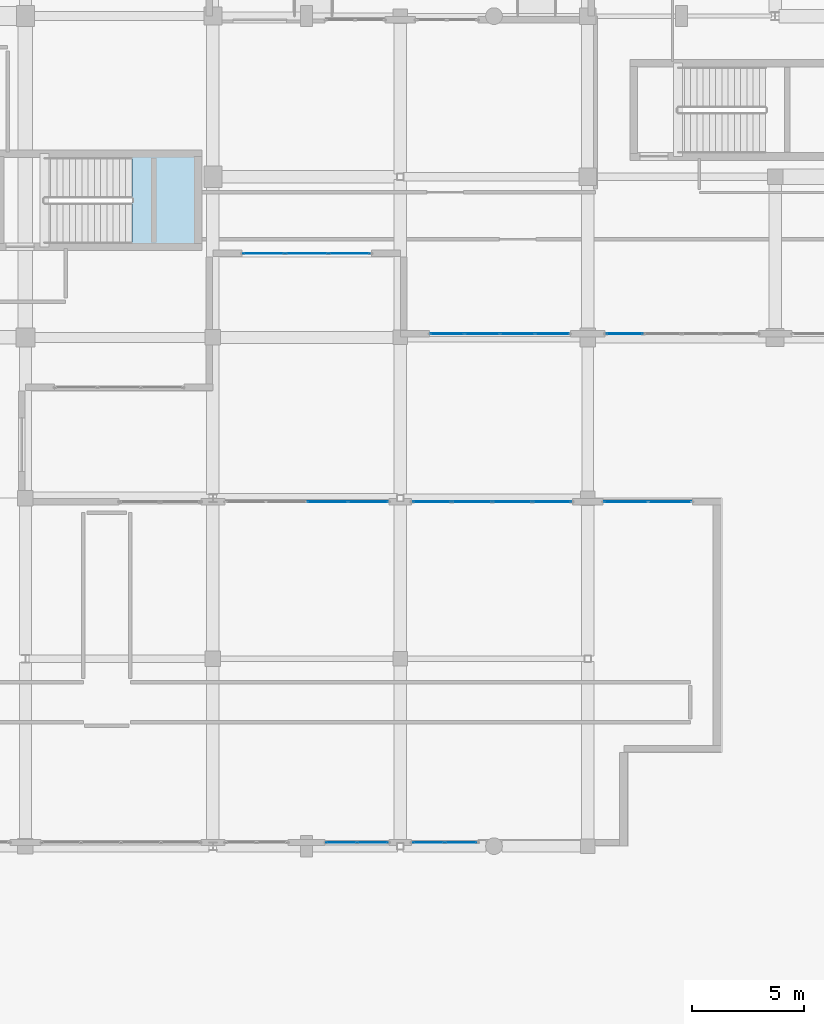
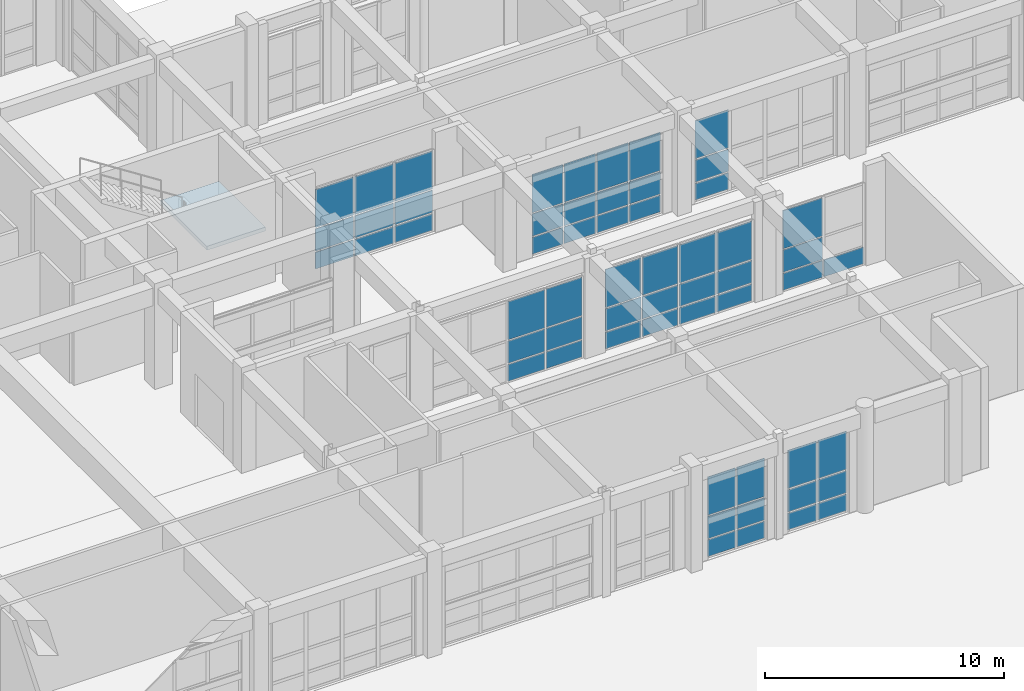
# One storey, part 119 of 148: 58 plates, 1 slab, 9 elements without a shape of their own.
"""IFC4 building model written with IfcOpenShell, lengths in metres."""

from ifc_helpers import new_model, si_unit, direction, frame, origin, origin_2d, place, context, subcontext, project, spatial, polyline, rectangle, outline, extrude, material, layer, layer_set, type_object, element, aggregate, save


model = new_model("IFC4")

# Units and contexts
model_context = context("Model", 3, precision=1e-05, world=origin(), true_north=direction((0.0, 1.0)))
body_context = subcontext(model_context, "Body", "Model", "MODEL_VIEW")
ifc_project = project(units=[si_unit("LENGTHUNIT", "METRE"), si_unit("AREAUNIT", "SQUARE_METRE"), si_unit("VOLUMEUNIT", "CUBIC_METRE"), si_unit("PLANEANGLEUNIT", "RADIAN"), si_unit("MASSUNIT", "GRAM", prefix="KILO")], contexts=[model_context])

# Site, building, storey
site_placement = place(None, origin())
site = spatial("IfcSite", under=ifc_project, at=site_placement, CompositionType="ELEMENT")
building_placement = place(site_placement, origin())
building = spatial("IfcBuilding", under=site, at=building_placement, Name="Quendrovan Civic Courthouse", CompositionType="ELEMENT")
storey_placement = place(building_placement, origin())
storey = spatial("IfcBuildingStorey", under=building, at=storey_placement, Name="L01", CompositionType="ELEMENT", Elevation=0.0)

# Curtain wall, plates
ifc_material_1 = material(Name="Bronze anodised aluminium and low-E glass", Category="aluminium")
ifc_layer_1 = layer(ifc_material_1, 0.179931640625, Name="Bronze anodised aluminium and low-E glass")
ifc_layer_set_1 = layer_set([ifc_layer_1], Name="Bronze anodised aluminium and low-E glass")
curtain_wall_type_1 = type_object("IfcCurtainWallType", Name="CW-U69x42", PredefinedType="USERDEFINED", material=ifc_layer_set_1)
curtain_wall_1_placement = place(storey_placement, origin())
curtain_wall_1 = element("IfcCurtainWall", 1, at=curtain_wall_1_placement, inside=storey, type_object=curtain_wall_type_1, Name="L01 Unitised Hurricane Curtain Wall CW-048", ObjectType="UNITISED CURTAIN WALL", PredefinedType="USERDEFINED")
ifc_material_2 = material(Name="Laminated hurricane-impact low-E glass", Category="glass")
ifc_layer_2 = layer(ifc_material_2, 0.028076171875, Name="Laminated hurricane-impact low-E glass")
ifc_layer_set_2 = layer_set([ifc_layer_2], Name="Laminated hurricane-impact low-E glass")
plate_type_1 = type_object("IfcPlateType", Name="CW-PNL-1", PredefinedType="CURTAIN_PANEL", material=ifc_layer_set_2)
plate_1_placement = place(storey_placement, frame((110.851806640625, 87.764892578125, 0.06982421875), z_axis=(0.0, 0.0, 1.0), x_axis=(-1.0, 0.0, 0.0)))
plate_1 = element("IfcPlate", 2, at=plate_1_placement, type_object=plate_type_1, Name="CW-048 panel 4.1", PredefinedType="CURTAIN_PANEL", context=body_context, shape_type="SweptSolid", body=[
    extrude(rectangle(XDim=1.61376953125, YDim=0.028076171875, at=origin_2d()), origin(), (0.0, 0.0, 1.0), 0.844970703125),
])
plate_2_placement = place(storey_placement, frame((110.851806640625, 87.764892578125, 0.985107421875), z_axis=(0.0, 0.0, 1.0), x_axis=(-1.0, 0.0, 0.0)))
plate_2 = element("IfcPlate", 3, at=plate_2_placement, type_object=plate_type_1, Name="CW-048 panel 4.2", PredefinedType="CURTAIN_PANEL", context=body_context, shape_type="SweptSolid", body=[
    extrude(rectangle(XDim=1.61376953125, YDim=0.028076171875, at=origin_2d()), origin(), (0.0, 0.0, 1.0), 1.1298828125),
])
plate_3_placement = place(storey_placement, frame((110.851806640625, 87.764892578125, 2.18505859375), z_axis=(0.0, 0.0, 1.0), x_axis=(-1.0, 0.0, 0.0)))
plate_3 = element("IfcPlate", 4, at=plate_3_placement, type_object=plate_type_1, Name="CW-048 panel 4.3", PredefinedType="CURTAIN_PANEL", context=body_context, shape_type="SweptSolid", body=[
    extrude(rectangle(XDim=1.61376953125, YDim=0.028076171875, at=origin_2d()), origin(), (0.0, 0.0, 1.0), 1.945068359375),
])
aggregate(curtain_wall_1, [plate_1, plate_2, plate_3])

ifc_layer_3 = layer(ifc_material_1, 0.179931640625, Name="Bronze anodised aluminium and low-E glass")
ifc_layer_set_3 = layer_set([ifc_layer_3], Name="Bronze anodised aluminium and low-E glass")
curtain_wall_type_2 = type_object("IfcCurtainWallType", Name="CW-U30x42", PredefinedType="USERDEFINED", material=ifc_layer_set_3)
curtain_wall_2_placement = place(storey_placement, origin())
curtain_wall_2 = element("IfcCurtainWall", 5, at=curtain_wall_2_placement, inside=storey, type_object=curtain_wall_type_2, Name="L01 Unitised Hurricane Curtain Wall CW-056", ObjectType="UNITISED CURTAIN WALL", PredefinedType="USERDEFINED")
plate_4_placement = place(storey_placement, frame((103.513671875, 64.965087890625, 0.06982421875), z_axis=(0.0, 0.0, 1.0), x_axis=(-1.0, 0.0, 0.0)))
plate_4 = element("IfcPlate", 6, at=plate_4_placement, type_object=plate_type_1, Name="CW-056 panel 1.1", PredefinedType="CURTAIN_PANEL", context=body_context, shape_type="SweptSolid", body=[
    extrude(rectangle(XDim=1.382568359375, YDim=0.028076171875, at=origin_2d()), origin(), (0.0, 0.0, 1.0), 0.844970703125),
])
plate_5_placement = place(storey_placement, frame((103.513671875, 64.965087890625, 0.985107421875), z_axis=(0.0, 0.0, 1.0), x_axis=(-1.0, 0.0, 0.0)))
plate_5 = element("IfcPlate", 7, at=plate_5_placement, type_object=plate_type_1, Name="CW-056 panel 1.2", PredefinedType="CURTAIN_PANEL", context=body_context, shape_type="SweptSolid", body=[
    extrude(rectangle(XDim=1.382568359375, YDim=0.028076171875, at=origin_2d()), origin(), (0.0, 0.0, 1.0), 1.1298828125),
])
plate_6_placement = place(storey_placement, frame((103.513671875, 64.965087890625, 2.18505859375), z_axis=(0.0, 0.0, 1.0), x_axis=(-1.0, 0.0, 0.0)))
plate_6 = element("IfcPlate", 8, at=plate_6_placement, type_object=plate_type_1, Name="CW-056 panel 1.3", PredefinedType="CURTAIN_PANEL", context=body_context, shape_type="SweptSolid", body=[
    extrude(rectangle(XDim=1.382568359375, YDim=0.028076171875, at=origin_2d()), origin(), (0.0, 0.0, 1.0), 1.945068359375),
])
plate_7_placement = place(storey_placement, frame((102.061279296875, 64.965087890625, 0.06982421875), z_axis=(0.0, 0.0, 1.0), x_axis=(-1.0, 0.0, 0.0)))
plate_7 = element("IfcPlate", 9, at=plate_7_placement, type_object=plate_type_1, Name="CW-056 panel 2.1", PredefinedType="CURTAIN_PANEL", context=body_context, shape_type="SweptSolid", body=[
    extrude(rectangle(XDim=1.382568359375, YDim=0.028076171875, at=origin_2d()), origin(), (0.0, 0.0, 1.0), 0.844970703125),
])
plate_8_placement = place(storey_placement, frame((102.061279296875, 64.965087890625, 0.985107421875), z_axis=(0.0, 0.0, 1.0), x_axis=(-1.0, 0.0, 0.0)))
plate_8 = element("IfcPlate", 10, at=plate_8_placement, type_object=plate_type_1, Name="CW-056 panel 2.2", PredefinedType="CURTAIN_PANEL", context=body_context, shape_type="SweptSolid", body=[
    extrude(rectangle(XDim=1.382568359375, YDim=0.028076171875, at=origin_2d()), origin(), (0.0, 0.0, 1.0), 1.1298828125),
])
plate_9_placement = place(storey_placement, frame((102.061279296875, 64.965087890625, 2.18505859375), z_axis=(0.0, 0.0, 1.0), x_axis=(-1.0, 0.0, 0.0)))
plate_9 = element("IfcPlate", 11, at=plate_9_placement, type_object=plate_type_1, Name="CW-056 panel 2.3", PredefinedType="CURTAIN_PANEL", context=body_context, shape_type="SweptSolid", body=[
    extrude(rectangle(XDim=1.382568359375, YDim=0.028076171875, at=origin_2d()), origin(), (0.0, 0.0, 1.0), 1.945068359375),
])
aggregate(curtain_wall_2, [plate_4, plate_5, plate_6, plate_7, plate_8, plate_9])

ifc_layer_4 = layer(ifc_material_1, 0.179931640625, Name="Bronze anodised aluminium and low-E glass")
ifc_layer_set_4 = layer_set([ifc_layer_4], Name="Bronze anodised aluminium and low-E glass")
curtain_wall_type_3 = type_object("IfcCurtainWallType", Name="CW-U63x42", PredefinedType="USERDEFINED", material=ifc_layer_set_4)
curtain_wall_3_placement = place(storey_placement, origin())
curtain_wall_3 = element("IfcCurtainWall", 12, at=curtain_wall_3_placement, inside=storey, type_object=curtain_wall_type_3, Name="L01 Unitised Hurricane Curtain Wall CW-049", ObjectType="UNITISED CURTAIN WALL", PredefinedType="USERDEFINED")
ifc_layer_5 = layer(ifc_material_2, 0.031982421875, Name="Laminated hurricane-impact low-E glass")
ifc_layer_set_5 = layer_set([ifc_layer_5], Name="Laminated hurricane-impact low-E glass")
plate_type_2 = type_object("IfcPlateType", Name="CW-PNL-2", PredefinedType="CURTAIN_PANEL", material=ifc_layer_set_5)
plate_10_placement = place(storey_placement, frame((107.6181640625, 87.764892578125, 0.06494140625), z_axis=(0.0, 0.0, 1.0), x_axis=(-1.0, 0.0, 0.0)))
plate_10 = element("IfcPlate", 13, at=plate_10_placement, type_object=plate_type_2, Name="CW-049 panel 1.1", PredefinedType="CURTAIN_PANEL", context=body_context, shape_type="SweptSolid", body=[
    extrude(rectangle(XDim=1.483642578125, YDim=0.031982421875, at=origin_2d()), origin(), (0.0, 0.0, 1.0), 0.8525390625),
])
plate_11_placement = place(storey_placement, frame((107.6181640625, 87.764892578125, 0.982421875), z_axis=(0.0, 0.0, 1.0), x_axis=(-1.0, 0.0, 0.0)))
plate_11 = element("IfcPlate", 14, at=plate_11_placement, type_object=plate_type_2, Name="CW-049 panel 1.2", PredefinedType="CURTAIN_PANEL", context=body_context, shape_type="SweptSolid", body=[
    extrude(rectangle(XDim=1.483642578125, YDim=0.031982421875, at=origin_2d()), origin(), (0.0, 0.0, 1.0), 1.135009765625),
])
plate_12_placement = place(storey_placement, frame((107.6181640625, 87.764892578125, 2.1826171875), z_axis=(0.0, 0.0, 1.0), x_axis=(-1.0, 0.0, 0.0)))
plate_12 = element("IfcPlate", 15, at=plate_12_placement, type_object=plate_type_2, Name="CW-049 panel 1.3", PredefinedType="CURTAIN_PANEL", context=body_context, shape_type="SweptSolid", body=[
    extrude(rectangle(XDim=1.483642578125, YDim=0.031982421875, at=origin_2d()), origin(), (0.0, 0.0, 1.0), 1.952392578125),
])
plate_13_placement = place(storey_placement, frame((106.05322265625, 87.764892578125, 0.06494140625), z_axis=(0.0, 0.0, 1.0), x_axis=(-1.0, 0.0, 0.0)))
plate_13 = element("IfcPlate", 16, at=plate_13_placement, type_object=plate_type_2, Name="CW-049 panel 2.1", PredefinedType="CURTAIN_PANEL", context=body_context, shape_type="SweptSolid", body=[
    extrude(rectangle(XDim=1.516357421875, YDim=0.031982421875, at=origin_2d()), origin(), (0.0, 0.0, 1.0), 0.8525390625),
])
plate_14_placement = place(storey_placement, frame((106.05322265625, 87.764892578125, 0.982421875), z_axis=(0.0, 0.0, 1.0), x_axis=(-1.0, 0.0, 0.0)))
plate_14 = element("IfcPlate", 17, at=plate_14_placement, type_object=plate_type_2, Name="CW-049 panel 2.2", PredefinedType="CURTAIN_PANEL", context=body_context, shape_type="SweptSolid", body=[
    extrude(rectangle(XDim=1.516357421875, YDim=0.031982421875, at=origin_2d()), origin(), (0.0, 0.0, 1.0), 1.135009765625),
])
plate_15_placement = place(storey_placement, frame((106.05322265625, 87.764892578125, 2.1826171875), z_axis=(0.0, 0.0, 1.0), x_axis=(-1.0, 0.0, 0.0)))
plate_15 = element("IfcPlate", 18, at=plate_15_placement, type_object=plate_type_2, Name="CW-049 panel 2.3", PredefinedType="CURTAIN_PANEL", context=body_context, shape_type="SweptSolid", body=[
    extrude(rectangle(XDim=1.516357421875, YDim=0.031982421875, at=origin_2d()), origin(), (0.0, 0.0, 1.0), 1.952392578125),
])
plate_16_placement = place(storey_placement, frame((104.471923828125, 87.764892578125, 0.06494140625), z_axis=(0.0, 0.0, 1.0), x_axis=(-1.0, 0.0, 0.0)))
plate_16 = element("IfcPlate", 19, at=plate_16_placement, type_object=plate_type_2, Name="CW-049 panel 3.1", PredefinedType="CURTAIN_PANEL", context=body_context, shape_type="SweptSolid", body=[
    extrude(rectangle(XDim=1.516357421875, YDim=0.031982421875, at=origin_2d()), origin(), (0.0, 0.0, 1.0), 0.8525390625),
])
plate_17_placement = place(storey_placement, frame((104.471923828125, 87.764892578125, 0.982421875), z_axis=(0.0, 0.0, 1.0), x_axis=(-1.0, 0.0, 0.0)))
plate_17 = element("IfcPlate", 20, at=plate_17_placement, type_object=plate_type_2, Name="CW-049 panel 3.2", PredefinedType="CURTAIN_PANEL", context=body_context, shape_type="SweptSolid", body=[
    extrude(rectangle(XDim=1.516357421875, YDim=0.031982421875, at=origin_2d()), origin(), (0.0, 0.0, 1.0), 1.135009765625),
])
plate_18_placement = place(storey_placement, frame((104.471923828125, 87.764892578125, 2.1826171875), z_axis=(0.0, 0.0, 1.0), x_axis=(-1.0, 0.0, 0.0)))
plate_18 = element("IfcPlate", 21, at=plate_18_placement, type_object=plate_type_2, Name="CW-049 panel 3.3", PredefinedType="CURTAIN_PANEL", context=body_context, shape_type="SweptSolid", body=[
    extrude(rectangle(XDim=1.516357421875, YDim=0.031982421875, at=origin_2d()), origin(), (0.0, 0.0, 1.0), 1.952392578125),
])
plate_19_placement = place(storey_placement, frame((102.906982421875, 87.764892578125, 0.06494140625), z_axis=(0.0, 0.0, 1.0), x_axis=(-1.0, 0.0, 0.0)))
plate_19 = element("IfcPlate", 22, at=plate_19_placement, type_object=plate_type_2, Name="CW-049 panel 4.1", PredefinedType="CURTAIN_PANEL", context=body_context, shape_type="SweptSolid", body=[
    extrude(rectangle(XDim=1.483642578125, YDim=0.031982421875, at=origin_2d()), origin(), (0.0, 0.0, 1.0), 0.8525390625),
])
plate_20_placement = place(storey_placement, frame((102.906982421875, 87.764892578125, 0.982421875), z_axis=(0.0, 0.0, 1.0), x_axis=(-1.0, 0.0, 0.0)))
plate_20 = element("IfcPlate", 23, at=plate_20_placement, type_object=plate_type_2, Name="CW-049 panel 4.2", PredefinedType="CURTAIN_PANEL", context=body_context, shape_type="SweptSolid", body=[
    extrude(rectangle(XDim=1.483642578125, YDim=0.031982421875, at=origin_2d()), origin(), (0.0, 0.0, 1.0), 1.135009765625),
])
plate_21_placement = place(storey_placement, frame((102.906982421875, 87.764892578125, 2.1826171875), z_axis=(0.0, 0.0, 1.0), x_axis=(-1.0, 0.0, 0.0)))
plate_21 = element("IfcPlate", 24, at=plate_21_placement, type_object=plate_type_2, Name="CW-049 panel 4.3", PredefinedType="CURTAIN_PANEL", context=body_context, shape_type="SweptSolid", body=[
    extrude(rectangle(XDim=1.483642578125, YDim=0.031982421875, at=origin_2d()), origin(), (0.0, 0.0, 1.0), 1.952392578125),
])
aggregate(curtain_wall_3, [plate_10, plate_11, plate_12, plate_13, plate_14, plate_15, plate_16, plate_17, plate_18, plate_19, plate_20, plate_21])

ifc_layer_6 = layer(ifc_material_1, 0.179931640625, Name="Bronze anodised aluminium and low-E glass")
ifc_layer_set_6 = layer_set([ifc_layer_6], Name="Bronze anodised aluminium and low-E glass")
curtain_wall_type_4 = type_object("IfcCurtainWallType", Name="CW-U74x42", PredefinedType="USERDEFINED", material=ifc_layer_set_6)
curtain_wall_4_placement = place(storey_placement, origin())
curtain_wall_4 = element("IfcCurtainWall", 25, at=curtain_wall_4_placement, inside=storey, type_object=curtain_wall_type_4, Name="L01 Unitised Hurricane Curtain Wall CW-053", ObjectType="UNITISED CURTAIN WALL", PredefinedType="USERDEFINED")
plate_22_placement = place(storey_placement, frame((97.538818359375, 80.235107421875, 0.06494140625), z_axis=(0.0, 0.0, 1.0), x_axis=(1.0, 0.0, 0.0)))
plate_22 = element("IfcPlate", 26, at=plate_22_placement, type_object=plate_type_2, Name="CW-053 panel 3.1", PredefinedType="CURTAIN_PANEL", context=body_context, shape_type="SweptSolid", body=[
    extrude(rectangle(XDim=1.775634765625, YDim=0.031982421875, at=origin_2d()), origin(), (0.0, 0.0, 1.0), 0.8525390625),
])
plate_23_placement = place(storey_placement, frame((97.538818359375, 80.235107421875, 0.982421875), z_axis=(0.0, 0.0, 1.0), x_axis=(1.0, 0.0, 0.0)))
plate_23 = element("IfcPlate", 27, at=plate_23_placement, type_object=plate_type_2, Name="CW-053 panel 3.2", PredefinedType="CURTAIN_PANEL", context=body_context, shape_type="SweptSolid", body=[
    extrude(rectangle(XDim=1.775634765625, YDim=0.031982421875, at=origin_2d()), origin(), (0.0, 0.0, 1.0), 1.135009765625),
])
plate_24_placement = place(storey_placement, frame((97.538818359375, 80.235107421875, 2.1826171875), z_axis=(0.0, 0.0, 1.0), x_axis=(1.0, 0.0, 0.0)))
plate_24 = element("IfcPlate", 28, at=plate_24_placement, type_object=plate_type_2, Name="CW-053 panel 3.3", PredefinedType="CURTAIN_PANEL", context=body_context, shape_type="SweptSolid", body=[
    extrude(rectangle(XDim=1.775634765625, YDim=0.031982421875, at=origin_2d()), origin(), (0.0, 0.0, 1.0), 1.952392578125),
])
plate_25_placement = place(storey_placement, frame((99.36328125, 80.235107421875, 0.06494140625), z_axis=(0.0, 0.0, 1.0), x_axis=(1.0, 0.0, 0.0)))
plate_25 = element("IfcPlate", 29, at=plate_25_placement, type_object=plate_type_2, Name="CW-053 panel 4.1", PredefinedType="CURTAIN_PANEL", context=body_context, shape_type="SweptSolid", body=[
    extrude(rectangle(XDim=1.7431640625, YDim=0.031982421875, at=origin_2d()), origin(), (0.0, 0.0, 1.0), 0.8525390625),
])
plate_26_placement = place(storey_placement, frame((99.36328125, 80.235107421875, 0.982421875), z_axis=(0.0, 0.0, 1.0), x_axis=(1.0, 0.0, 0.0)))
plate_26 = element("IfcPlate", 30, at=plate_26_placement, type_object=plate_type_2, Name="CW-053 panel 4.2", PredefinedType="CURTAIN_PANEL", context=body_context, shape_type="SweptSolid", body=[
    extrude(rectangle(XDim=1.7431640625, YDim=0.031982421875, at=origin_2d()), origin(), (0.0, 0.0, 1.0), 1.135009765625),
])
plate_27_placement = place(storey_placement, frame((99.36328125, 80.235107421875, 2.1826171875), z_axis=(0.0, 0.0, 1.0), x_axis=(1.0, 0.0, 0.0)))
plate_27 = element("IfcPlate", 31, at=plate_27_placement, type_object=plate_type_2, Name="CW-053 panel 4.3", PredefinedType="CURTAIN_PANEL", context=body_context, shape_type="SweptSolid", body=[
    extrude(rectangle(XDim=1.7431640625, YDim=0.031982421875, at=origin_2d()), origin(), (0.0, 0.0, 1.0), 1.952392578125),
])
aggregate(curtain_wall_4, [plate_22, plate_23, plate_24, plate_25, plate_26, plate_27])

ifc_layer_7 = layer(ifc_material_1, 0.179931640625, Name="Bronze anodised aluminium and low-E glass")
ifc_layer_set_7 = layer_set([ifc_layer_7], Name="Bronze anodised aluminium and low-E glass")
curtain_wall_type_5 = type_object("IfcCurtainWallType", Name="CW-U29x42", PredefinedType="USERDEFINED", material=ifc_layer_set_7)
curtain_wall_5_placement = place(storey_placement, origin())
curtain_wall_5 = element("IfcCurtainWall", 32, at=curtain_wall_5_placement, inside=storey, type_object=curtain_wall_type_5, Name="L01 Unitised Hurricane Curtain Wall CW-057", ObjectType="UNITISED CURTAIN WALL", PredefinedType="USERDEFINED")
plate_28_placement = place(storey_placement, frame((99.56494140625, 64.965087890625, 0.06494140625), z_axis=(0.0, 0.0, 1.0), x_axis=(-1.0, 0.0, 0.0)))
plate_28 = element("IfcPlate", 33, at=plate_28_placement, type_object=plate_type_2, Name="CW-057 panel 1.1", PredefinedType="CURTAIN_PANEL", context=body_context, shape_type="SweptSolid", body=[
    extrude(rectangle(XDim=1.340087890625, YDim=0.031982421875, at=origin_2d()), origin(), (0.0, 0.0, 1.0), 0.8525390625),
])
plate_29_placement = place(storey_placement, frame((99.56494140625, 64.965087890625, 0.982421875), z_axis=(0.0, 0.0, 1.0), x_axis=(-1.0, 0.0, 0.0)))
plate_29 = element("IfcPlate", 34, at=plate_29_placement, type_object=plate_type_2, Name="CW-057 panel 1.2", PredefinedType="CURTAIN_PANEL", context=body_context, shape_type="SweptSolid", body=[
    extrude(rectangle(XDim=1.340087890625, YDim=0.031982421875, at=origin_2d()), origin(), (0.0, 0.0, 1.0), 1.135009765625),
])
plate_30_placement = place(storey_placement, frame((99.56494140625, 64.965087890625, 2.1826171875), z_axis=(0.0, 0.0, 1.0), x_axis=(-1.0, 0.0, 0.0)))
plate_30 = element("IfcPlate", 35, at=plate_30_placement, type_object=plate_type_2, Name="CW-057 panel 1.3", PredefinedType="CURTAIN_PANEL", context=body_context, shape_type="SweptSolid", body=[
    extrude(rectangle(XDim=1.340087890625, YDim=0.031982421875, at=origin_2d()), origin(), (0.0, 0.0, 1.0), 1.952392578125),
])
plate_31_placement = place(storey_placement, frame((98.159912109375, 64.965087890625, 0.06494140625), z_axis=(0.0, 0.0, 1.0), x_axis=(-1.0, 0.0, 0.0)))
plate_31 = element("IfcPlate", 36, at=plate_31_placement, type_object=plate_type_2, Name="CW-057 panel 2.1", PredefinedType="CURTAIN_PANEL", context=body_context, shape_type="SweptSolid", body=[
    extrude(rectangle(XDim=1.340087890625, YDim=0.031982421875, at=origin_2d()), origin(), (0.0, 0.0, 1.0), 0.8525390625),
])
plate_32_placement = place(storey_placement, frame((98.159912109375, 64.965087890625, 0.982421875), z_axis=(0.0, 0.0, 1.0), x_axis=(-1.0, 0.0, 0.0)))
plate_32 = element("IfcPlate", 37, at=plate_32_placement, type_object=plate_type_2, Name="CW-057 panel 2.2", PredefinedType="CURTAIN_PANEL", context=body_context, shape_type="SweptSolid", body=[
    extrude(rectangle(XDim=1.340087890625, YDim=0.031982421875, at=origin_2d()), origin(), (0.0, 0.0, 1.0), 1.135009765625),
])
plate_33_placement = place(storey_placement, frame((98.159912109375, 64.965087890625, 2.1826171875), z_axis=(0.0, 0.0, 1.0), x_axis=(-1.0, 0.0, 0.0)))
plate_33 = element("IfcPlate", 38, at=plate_33_placement, type_object=plate_type_2, Name="CW-057 panel 2.3", PredefinedType="CURTAIN_PANEL", context=body_context, shape_type="SweptSolid", body=[
    extrude(rectangle(XDim=1.340087890625, YDim=0.031982421875, at=origin_2d()), origin(), (0.0, 0.0, 1.0), 1.952392578125),
])
aggregate(curtain_wall_5, [plate_28, plate_29, plate_30, plate_31, plate_32, plate_33])

ifc_layer_8 = layer(ifc_material_1, 0.179931640625, Name="Bronze anodised aluminium and low-E glass")
ifc_layer_set_8 = layer_set([ifc_layer_8], Name="Bronze anodised aluminium and low-E glass")
curtain_wall_type_6 = type_object("IfcCurtainWallType", Name="CW-U58x42", PredefinedType="USERDEFINED", material=ifc_layer_set_8)
curtain_wall_6_placement = place(storey_placement, origin())
curtain_wall_6 = element("IfcCurtainWall", 39, at=curtain_wall_6_placement, inside=storey, type_object=curtain_wall_type_6, Name="L01 Unitised Hurricane Curtain Wall CW-050", ObjectType="UNITISED CURTAIN WALL", PredefinedType="USERDEFINED")
ifc_layer_9 = layer(ifc_material_2, 0.035888671875, Name="Laminated hurricane-impact low-E glass")
ifc_layer_set_9 = layer_set([ifc_layer_9], Name="Laminated hurricane-impact low-E glass")
plate_type_3 = type_object("IfcPlateType", Name="CW-PNL-3", PredefinedType="CURTAIN_PANEL", material=ifc_layer_set_9)
plate_34_placement = place(storey_placement, frame((98.515869140625, 91.364990234375, 0.06982421875), z_axis=(0.0, 0.0, 1.0), x_axis=(-1.0, 0.0, 0.0)))
plate_34 = element("IfcPlate", 40, at=plate_34_placement, type_object=plate_type_3, Name="CW-050 panel 1.1", PredefinedType="CURTAIN_PANEL", context=body_context, shape_type="SweptSolid", body=[
    extrude(rectangle(XDim=1.828369140625, YDim=0.035888671875, at=origin_2d()), origin(), (0.0, 0.0, 1.0), 0.844970703125),
])
plate_35_placement = place(storey_placement, frame((98.515869140625, 91.364990234375, 0.985107421875), z_axis=(0.0, 0.0, 1.0), x_axis=(-1.0, 0.0, 0.0)))
plate_35 = element("IfcPlate", 41, at=plate_35_placement, type_object=plate_type_3, Name="CW-050 panel 1.2", PredefinedType="CURTAIN_PANEL", context=body_context, shape_type="SweptSolid", body=[
    extrude(rectangle(XDim=1.828369140625, YDim=0.035888671875, at=origin_2d()), origin(), (0.0, 0.0, 1.0), 1.1298828125),
])
plate_36_placement = place(storey_placement, frame((98.515869140625, 91.364990234375, 2.18505859375), z_axis=(0.0, 0.0, 1.0), x_axis=(-1.0, 0.0, 0.0)))
plate_36 = element("IfcPlate", 42, at=plate_36_placement, type_object=plate_type_3, Name="CW-050 panel 1.3", PredefinedType="CURTAIN_PANEL", context=body_context, shape_type="SweptSolid", body=[
    extrude(rectangle(XDim=1.828369140625, YDim=0.035888671875, at=origin_2d()), origin(), (0.0, 0.0, 1.0), 1.945068359375),
])
plate_37_placement = place(storey_placement, frame((96.60009765625, 91.364990234375, 0.06982421875), z_axis=(0.0, 0.0, 1.0), x_axis=(-1.0, 0.0, 0.0)))
plate_37 = element("IfcPlate", 43, at=plate_37_placement, type_object=plate_type_3, Name="CW-050 panel 2.1", PredefinedType="CURTAIN_PANEL", context=body_context, shape_type="SweptSolid", body=[
    extrude(rectangle(XDim=1.86328125, YDim=0.035888671875, at=origin_2d()), origin(), (0.0, 0.0, 1.0), 0.844970703125),
])
plate_38_placement = place(storey_placement, frame((96.60009765625, 91.364990234375, 0.985107421875), z_axis=(0.0, 0.0, 1.0), x_axis=(-1.0, 0.0, 0.0)))
plate_38 = element("IfcPlate", 44, at=plate_38_placement, type_object=plate_type_3, Name="CW-050 panel 2.2", PredefinedType="CURTAIN_PANEL", context=body_context, shape_type="SweptSolid", body=[
    extrude(rectangle(XDim=1.86328125, YDim=0.035888671875, at=origin_2d()), origin(), (0.0, 0.0, 1.0), 1.1298828125),
])
plate_39_placement = place(storey_placement, frame((96.60009765625, 91.364990234375, 2.18505859375), z_axis=(0.0, 0.0, 1.0), x_axis=(-1.0, 0.0, 0.0)))
plate_39 = element("IfcPlate", 45, at=plate_39_placement, type_object=plate_type_3, Name="CW-050 panel 2.3", PredefinedType="CURTAIN_PANEL", context=body_context, shape_type="SweptSolid", body=[
    extrude(rectangle(XDim=1.86328125, YDim=0.035888671875, at=origin_2d()), origin(), (0.0, 0.0, 1.0), 1.945068359375),
])
plate_40_placement = place(storey_placement, frame((94.68408203125, 91.364990234375, 0.06982421875), z_axis=(0.0, 0.0, 1.0), x_axis=(-1.0, 0.0, 0.0)))
plate_40 = element("IfcPlate", 46, at=plate_40_placement, type_object=plate_type_3, Name="CW-050 panel 3.1", PredefinedType="CURTAIN_PANEL", context=body_context, shape_type="SweptSolid", body=[
    extrude(rectangle(XDim=1.828369140625, YDim=0.035888671875, at=origin_2d()), origin(), (0.0, 0.0, 1.0), 0.844970703125),
])
plate_41_placement = place(storey_placement, frame((94.68408203125, 91.364990234375, 0.985107421875), z_axis=(0.0, 0.0, 1.0), x_axis=(-1.0, 0.0, 0.0)))
plate_41 = element("IfcPlate", 47, at=plate_41_placement, type_object=plate_type_3, Name="CW-050 panel 3.2", PredefinedType="CURTAIN_PANEL", context=body_context, shape_type="SweptSolid", body=[
    extrude(rectangle(XDim=1.828369140625, YDim=0.035888671875, at=origin_2d()), origin(), (0.0, 0.0, 1.0), 1.1298828125),
])
plate_42_placement = place(storey_placement, frame((94.68408203125, 91.364990234375, 2.18505859375), z_axis=(0.0, 0.0, 1.0), x_axis=(-1.0, 0.0, 0.0)))
plate_42 = element("IfcPlate", 48, at=plate_42_placement, type_object=plate_type_3, Name="CW-050 panel 3.3", PredefinedType="CURTAIN_PANEL", context=body_context, shape_type="SweptSolid", body=[
    extrude(rectangle(XDim=1.828369140625, YDim=0.035888671875, at=origin_2d()), origin(), (0.0, 0.0, 1.0), 1.945068359375),
])
aggregate(curtain_wall_6, [plate_34, plate_35, plate_36, plate_37, plate_38, plate_39, plate_40, plate_41, plate_42])

ifc_layer_10 = layer(ifc_material_1, 0.179931640625, Name="Bronze anodised aluminium and low-E glass")
ifc_layer_set_10 = layer_set([ifc_layer_10], Name="Bronze anodised aluminium and low-E glass")
curtain_wall_type_7 = type_object("IfcCurtainWallType", Name="CW-U72x42", PredefinedType="USERDEFINED", material=ifc_layer_set_10)
curtain_wall_7_placement = place(storey_placement, origin())
curtain_wall_7 = element("IfcCurtainWall", 49, at=curtain_wall_7_placement, inside=storey, type_object=curtain_wall_type_7, Name="L01 Unitised Hurricane Curtain Wall CW-054", ObjectType="UNITISED CURTAIN WALL", PredefinedType="USERDEFINED")
plate_43_placement = place(storey_placement, frame((102.220703125, 80.235107421875, 0.06982421875), z_axis=(0.0, 0.0, 1.0), x_axis=(1.0, 0.0, 0.0)))
plate_43 = element("IfcPlate", 50, at=plate_43_placement, type_object=plate_type_3, Name="CW-054 panel 1.1", PredefinedType="CURTAIN_PANEL", context=body_context, shape_type="SweptSolid", body=[
    extrude(rectangle(XDim=1.701171875, YDim=0.035888671875, at=origin_2d()), origin(), (0.0, 0.0, 1.0), 0.844970703125),
])
plate_44_placement = place(storey_placement, frame((102.220703125, 80.235107421875, 0.985107421875), z_axis=(0.0, 0.0, 1.0), x_axis=(1.0, 0.0, 0.0)))
plate_44 = element("IfcPlate", 51, at=plate_44_placement, type_object=plate_type_3, Name="CW-054 panel 1.2", PredefinedType="CURTAIN_PANEL", context=body_context, shape_type="SweptSolid", body=[
    extrude(rectangle(XDim=1.701171875, YDim=0.035888671875, at=origin_2d()), origin(), (0.0, 0.0, 1.0), 1.1298828125),
])
plate_45_placement = place(storey_placement, frame((102.220703125, 80.235107421875, 2.18505859375), z_axis=(0.0, 0.0, 1.0), x_axis=(1.0, 0.0, 0.0)))
plate_45 = element("IfcPlate", 52, at=plate_45_placement, type_object=plate_type_3, Name="CW-054 panel 1.3", PredefinedType="CURTAIN_PANEL", context=body_context, shape_type="SweptSolid", body=[
    extrude(rectangle(XDim=1.701171875, YDim=0.035888671875, at=origin_2d()), origin(), (0.0, 0.0, 1.0), 1.945068359375),
])
plate_46_placement = place(storey_placement, frame((104.00927734375, 80.235107421875, 0.06982421875), z_axis=(0.0, 0.0, 1.0), x_axis=(1.0, 0.0, 0.0)))
plate_46 = element("IfcPlate", 53, at=plate_46_placement, type_object=plate_type_3, Name="CW-054 panel 2.1", PredefinedType="CURTAIN_PANEL", context=body_context, shape_type="SweptSolid", body=[
    extrude(rectangle(XDim=1.736328125, YDim=0.035888671875, at=origin_2d()), origin(), (0.0, 0.0, 1.0), 0.844970703125),
])
plate_47_placement = place(storey_placement, frame((104.00927734375, 80.235107421875, 0.985107421875), z_axis=(0.0, 0.0, 1.0), x_axis=(1.0, 0.0, 0.0)))
plate_47 = element("IfcPlate", 54, at=plate_47_placement, type_object=plate_type_3, Name="CW-054 panel 2.2", PredefinedType="CURTAIN_PANEL", context=body_context, shape_type="SweptSolid", body=[
    extrude(rectangle(XDim=1.736328125, YDim=0.035888671875, at=origin_2d()), origin(), (0.0, 0.0, 1.0), 1.1298828125),
])
plate_48_placement = place(storey_placement, frame((104.00927734375, 80.235107421875, 2.18505859375), z_axis=(0.0, 0.0, 1.0), x_axis=(1.0, 0.0, 0.0)))
plate_48 = element("IfcPlate", 55, at=plate_48_placement, type_object=plate_type_3, Name="CW-054 panel 2.3", PredefinedType="CURTAIN_PANEL", context=body_context, shape_type="SweptSolid", body=[
    extrude(rectangle(XDim=1.736328125, YDim=0.035888671875, at=origin_2d()), origin(), (0.0, 0.0, 1.0), 1.945068359375),
])
plate_49_placement = place(storey_placement, frame((105.815673828125, 80.235107421875, 0.06982421875), z_axis=(0.0, 0.0, 1.0), x_axis=(1.0, 0.0, 0.0)))
plate_49 = element("IfcPlate", 56, at=plate_49_placement, type_object=plate_type_3, Name="CW-054 panel 3.1", PredefinedType="CURTAIN_PANEL", context=body_context, shape_type="SweptSolid", body=[
    extrude(rectangle(XDim=1.736328125, YDim=0.035888671875, at=origin_2d()), origin(), (0.0, 0.0, 1.0), 0.844970703125),
])
plate_50_placement = place(storey_placement, frame((105.815673828125, 80.235107421875, 0.985107421875), z_axis=(0.0, 0.0, 1.0), x_axis=(1.0, 0.0, 0.0)))
plate_50 = element("IfcPlate", 57, at=plate_50_placement, type_object=plate_type_3, Name="CW-054 panel 3.2", PredefinedType="CURTAIN_PANEL", context=body_context, shape_type="SweptSolid", body=[
    extrude(rectangle(XDim=1.736328125, YDim=0.035888671875, at=origin_2d()), origin(), (0.0, 0.0, 1.0), 1.1298828125),
])
plate_51_placement = place(storey_placement, frame((105.815673828125, 80.235107421875, 2.18505859375), z_axis=(0.0, 0.0, 1.0), x_axis=(1.0, 0.0, 0.0)))
plate_51 = element("IfcPlate", 58, at=plate_51_placement, type_object=plate_type_3, Name="CW-054 panel 3.3", PredefinedType="CURTAIN_PANEL", context=body_context, shape_type="SweptSolid", body=[
    extrude(rectangle(XDim=1.736328125, YDim=0.035888671875, at=origin_2d()), origin(), (0.0, 0.0, 1.0), 1.945068359375),
])
plate_52_placement = place(storey_placement, frame((107.6044921875, 80.235107421875, 0.06982421875), z_axis=(0.0, 0.0, 1.0), x_axis=(1.0, 0.0, 0.0)))
plate_52 = element("IfcPlate", 59, at=plate_52_placement, type_object=plate_type_3, Name="CW-054 panel 4.1", PredefinedType="CURTAIN_PANEL", context=body_context, shape_type="SweptSolid", body=[
    extrude(rectangle(XDim=1.701171875, YDim=0.035888671875, at=origin_2d()), origin(), (0.0, 0.0, 1.0), 0.844970703125),
])
plate_53_placement = place(storey_placement, frame((107.6044921875, 80.235107421875, 0.985107421875), z_axis=(0.0, 0.0, 1.0), x_axis=(1.0, 0.0, 0.0)))
plate_53 = element("IfcPlate", 60, at=plate_53_placement, type_object=plate_type_3, Name="CW-054 panel 4.2", PredefinedType="CURTAIN_PANEL", context=body_context, shape_type="SweptSolid", body=[
    extrude(rectangle(XDim=1.701171875, YDim=0.035888671875, at=origin_2d()), origin(), (0.0, 0.0, 1.0), 1.1298828125),
])
plate_54_placement = place(storey_placement, frame((107.6044921875, 80.235107421875, 2.18505859375), z_axis=(0.0, 0.0, 1.0), x_axis=(1.0, 0.0, 0.0)))
plate_54 = element("IfcPlate", 61, at=plate_54_placement, type_object=plate_type_3, Name="CW-054 panel 4.3", PredefinedType="CURTAIN_PANEL", context=body_context, shape_type="SweptSolid", body=[
    extrude(rectangle(XDim=1.701171875, YDim=0.035888671875, at=origin_2d()), origin(), (0.0, 0.0, 1.0), 1.945068359375),
])
aggregate(curtain_wall_7, [plate_43, plate_44, plate_45, plate_46, plate_47, plate_48, plate_49, plate_50, plate_51, plate_52, plate_53, plate_54])

ifc_layer_11 = layer(ifc_material_1, 0.179931640625, Name="Bronze anodised aluminium and low-E glass")
ifc_layer_set_11 = layer_set([ifc_layer_11], Name="Bronze anodised aluminium and low-E glass")
curtain_wall_type_8 = type_object("IfcCurtainWallType", Name="CW-U40x42", PredefinedType="USERDEFINED", material=ifc_layer_set_11)
curtain_wall_8_placement = place(storey_placement, origin())
curtain_wall_8 = element("IfcCurtainWall", 62, at=curtain_wall_8_placement, inside=storey, type_object=curtain_wall_type_8, Name="L01 Unitised Hurricane Curtain Wall CW-055", ObjectType="UNITISED CURTAIN WALL", PredefinedType="USERDEFINED")
ifc_layer_12 = layer(ifc_material_2, 0.0419921875, Name="Laminated hurricane-impact low-E glass")
ifc_layer_set_12 = layer_set([ifc_layer_12], Name="Laminated hurricane-impact low-E glass")
plate_type_4 = type_object("IfcPlateType", Name="CW-PNL-4", PredefinedType="CURTAIN_PANEL", material=ifc_layer_set_12)
plate_55_placement = place(storey_placement, frame((110.8974609375, 80.235107421875, 0.06494140625), z_axis=(0.0, 0.0, 1.0), x_axis=(1.0, 0.0, 0.0)))
plate_55 = element("IfcPlate", 63, at=plate_55_placement, type_object=plate_type_4, Name="CW-055 panel 1.1", PredefinedType="CURTAIN_PANEL", context=body_context, shape_type="SweptSolid", body=[
    extrude(rectangle(XDim=1.9150390625, YDim=0.0419921875, at=origin_2d()), origin(), (0.0, 0.0, 1.0), 0.8525390625),
])
plate_56_placement = place(storey_placement, frame((110.8974609375, 80.235107421875, 0.982421875), z_axis=(0.0, 0.0, 1.0), x_axis=(1.0, 0.0, 0.0)))
plate_56 = element("IfcPlate", 64, at=plate_56_placement, type_object=plate_type_4, Name="CW-055 panel 1.2", PredefinedType="CURTAIN_PANEL", context=body_context, shape_type="SweptSolid", body=[
    extrude(rectangle(XDim=1.9150390625, YDim=0.0419921875, at=origin_2d()), origin(), (0.0, 0.0, 1.0), 1.135009765625),
])
plate_57_placement = place(storey_placement, frame((110.8974609375, 80.235107421875, 2.1826171875), z_axis=(0.0, 0.0, 1.0), x_axis=(1.0, 0.0, 0.0)))
plate_57 = element("IfcPlate", 65, at=plate_57_placement, type_object=plate_type_4, Name="CW-055 panel 1.3", PredefinedType="CURTAIN_PANEL", context=body_context, shape_type="SweptSolid", body=[
    extrude(rectangle(XDim=1.9150390625, YDim=0.0419921875, at=origin_2d()), origin(), (0.0, 0.0, 1.0), 1.952392578125),
])
plate_58_placement = place(storey_placement, frame((112.87744140625, 80.235107421875, 0.06494140625), z_axis=(0.0, 0.0, 1.0), x_axis=(1.0, 0.0, 0.0)))
plate_58 = element("IfcPlate", 66, at=plate_58_placement, type_object=plate_type_4, Name="CW-055 panel 2.1", PredefinedType="CURTAIN_PANEL", context=body_context, shape_type="SweptSolid", body=[
    extrude(rectangle(XDim=1.9150390625, YDim=0.0419921875, at=origin_2d()), origin(), (0.0, 0.0, 1.0), 0.8525390625),
])
aggregate(curtain_wall_8, [plate_55, plate_56, plate_57, plate_58])

# Stair, slab
ifc_material_3 = material(Name="Concrete C40/50", Category="concrete")
stair_type = type_object("IfcStairType", Name="STR-CORE-5400", PredefinedType="HALF_TURN_STAIR", material=ifc_material_3)
stair_placement = place(storey_placement, origin())
stair = element("IfcStair", 67, at=stair_placement, inside=storey, type_object=stair_type, Name="L01 East Court Block Exit Stair 3", PredefinedType="HALF_TURN_STAIR")
ifc_layer_13 = layer(ifc_material_3, 0.199951171875, Name="Concrete C40/50")
ifc_layer_set_13 = layer_set([ifc_layer_13], Name="Concrete C40/50")
slab_type = type_object("IfcSlabType", Name="SLB-STAIR-LND200", PredefinedType="LANDING", material=ifc_layer_set_13)
slab_placement = place(storey_placement, frame((0.0, 0.0, 2.5)))
slab = element("IfcSlab", 68, at=slab_placement, type_object=slab_type, Name="ST3 landing 1", PredefinedType="LANDING", context=body_context, shape_type="SweptSolid", body=[
    extrude(outline(polyline([(88.77001953125, 91.800048828125), (91.60009765625, 91.800048828125), (91.60009765625, 95.679931640625), (88.77001953125, 95.679931640625), (88.77001953125, 91.800048828125)])), origin(), (0.0, 0.0, 1.0), 0.199951171875),
])
aggregate(stair, [slab])

save(model, "model.ifc")
